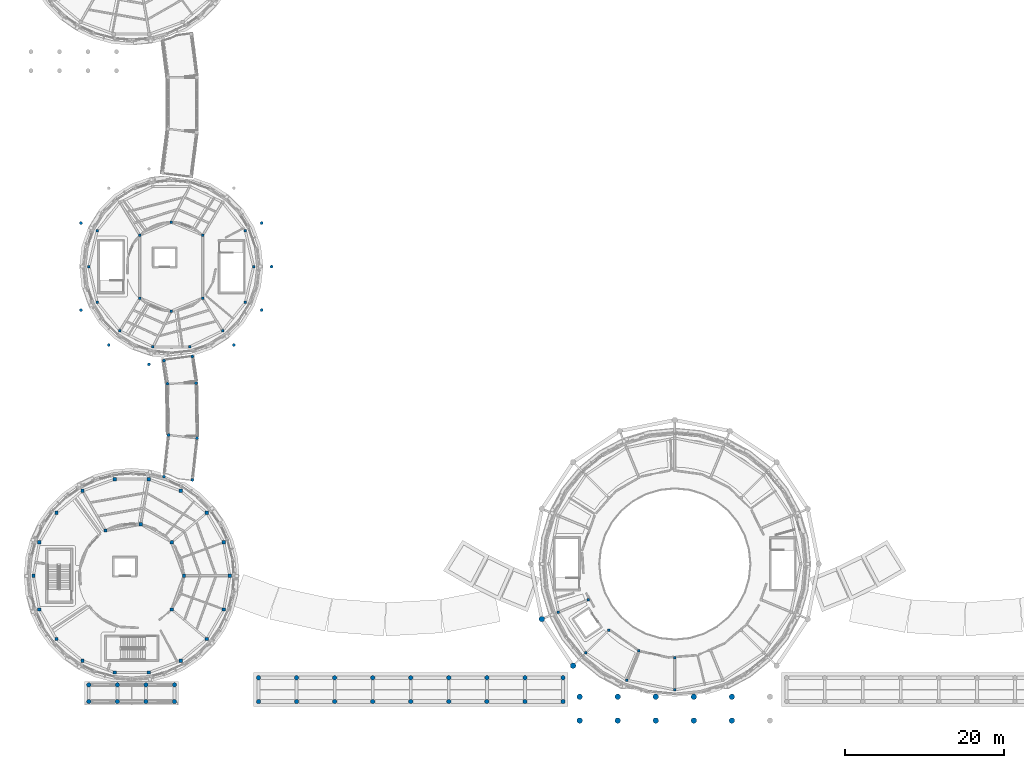
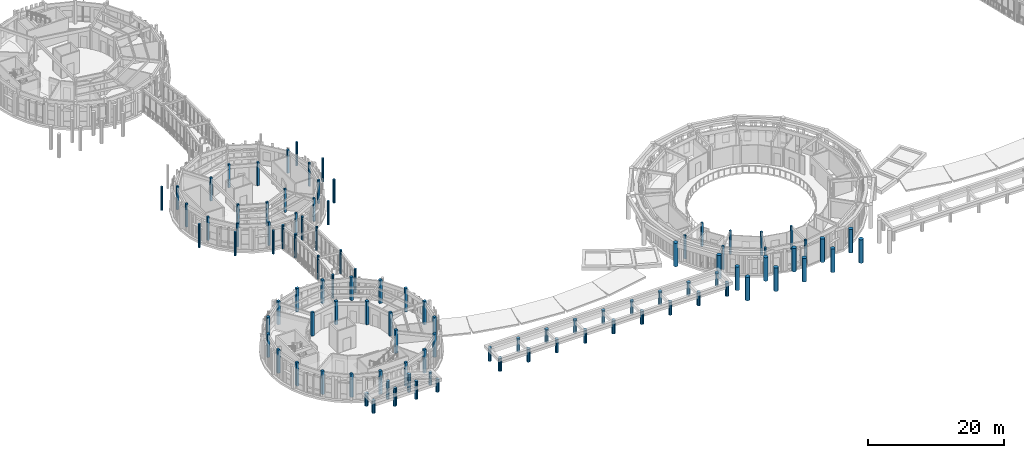
# One storey, part 1 of 80: 101 columns.
"""IFC4 building model written with IfcOpenShell, lengths in metres."""

from ifc_helpers import new_model, si_unit, direction, frame, origin, origin_2d, place, context, subcontext, project, spatial, rectangle, circle, extrude, material, material_profile, profile_set, type_object, element, save


model = new_model("IFC4")

# Units and contexts
model_context = context("Model", 3, precision=1e-05, world=origin(), true_north=direction((0.0, 1.0)))
body_context = subcontext(model_context, "Body", "Model", "MODEL_VIEW")
ifc_project = project(units=[si_unit("LENGTHUNIT", "METRE"), si_unit("AREAUNIT", "SQUARE_METRE"), si_unit("VOLUMEUNIT", "CUBIC_METRE"), si_unit("PLANEANGLEUNIT", "RADIAN"), si_unit("MASSUNIT", "GRAM", prefix="KILO")], contexts=[model_context])

# Site, building, storey
site_placement = place(None, origin())
site = spatial("IfcSite", under=ifc_project, at=site_placement, CompositionType="ELEMENT")
building_placement = place(site_placement, origin())
building = spatial("IfcBuilding", under=site, at=building_placement, Name="Aldenvaro Health Centre", CompositionType="ELEMENT")
storey_placement = place(building_placement, frame((0.0, 0.0, 4.550048828125)))
storey = spatial("IfcBuildingStorey", under=building, at=storey_placement, Name="L01", CompositionType="ELEMENT", Elevation=4.550048828125)

# Columns
ifc_material_1 = material(Name="Glulam GL28h", Category="wood")
ifc_material_profile_1 = material_profile(ifc_material_1, rectangle(XDim=0.31494140625, YDim=0.31494140625, at=origin_2d()), Name="GL 315x315", Category="wood")
ifc_profile_set_1 = profile_set([ifc_material_profile_1], Name="Glulam GL28h")
column_type_1 = type_object("IfcColumnType", Name="COL-GL-315", PredefinedType="COLUMN", material=ifc_profile_set_1)
for number, where, z_axis, x_axis, name in (
    (1, (76.080078125, 15.47705078125, 0.0), (0.0, 0.0, 1.0), (1.0, 0.0, 0.0), "D1 L01 column IN-08"),
    (2, (78.64208984375, 11.64208984375, 0.0), (0.0, 0.0, 1.0), (1.0, 0.0, 0.0), "D1 L01 column IN-09"),
    (3, (82.47705078125, 9.080078125, 0.0), (0.0, 0.0, 1.0), (1.0, 0.0, 0.0), "D1 L01 column IN-10"),
    (4, (87.0, 8.179931640625, 0.0), (0.0, 0.0, 1.0), (1.0, 0.0, 0.0), "D1 L01 column IN-11"),
    (5, (27.4599609375, 61.4599609375, 0.0), (0.0, 0.0, 1.0), (1.0, 0.0, 0.0), "D3 L01 column IN-01"),
    (6, (23.5, 63.10009765625, 0.0), (0.0, 0.0, 1.0), (1.0, 0.0, 0.0), "D3 L01 column IN-02"),
    (7, (19.5400390625, 61.4599609375, 0.0), (0.0, 0.0, 1.0), (1.0, 0.0, 0.0), "D3 L01 column IN-03"),
    (8, (19.5400390625, 53.5400390625, 0.0), (0.0, 0.0, 1.0), (1.0, 0.0, 0.0), "D3 L01 column IN-04"),
    (9, (23.5, 51.89990234375, 0.0), (0.0, 0.0, 1.0), (1.0, 0.0, 0.0), "D3 L01 column IN-05"),
    (10, (27.4599609375, 53.5400390625, 0.0), (0.0, 0.0, 1.0), (1.0, 0.0, 0.0), "D3 L01 column IN-06"),
):
    element("IfcColumn", number, at=place(storey_placement, frame(where, z_axis=z_axis, x_axis=x_axis)), inside=storey, type_object=column_type_1, Name=name, PredefinedType="COLUMN", context=body_context, shape_type="SweptSolid", body=[
        extrude(rectangle(XDim=0.31494140625, YDim=0.31494140625, at=origin_2d()), origin(), (0.0, 0.0, 1.0), 4.199951171875),
    ])
ifc_material_profile_2 = material_profile(ifc_material_1, rectangle(XDim=0.31494140625, YDim=0.31494140625, at=origin_2d()), Name="GL 315x315", Category="wood")
ifc_profile_set_2 = profile_set([ifc_material_profile_2], Name="Glulam GL28h")
column_type_2 = type_object("IfcColumnType", Name="COL-GL-315E", PredefinedType="COLUMN", material=ifc_profile_set_2)
for number, where, z_axis, x_axis, name in (
    (11, (72.3291015625, 13.923095703125, 0.0), (0.0, 0.0, 1.0), (1.0, 0.0, 0.0), "D1 L01 column OUT-10"),
    (12, (75.77099609375, 8.77099609375, 0.0), (0.0, 0.0, 1.0), (1.0, 0.0, 0.0), "D1 L01 column OUT-11"),
    (13, (80.923095703125, 5.3291015625, 0.0), (0.0, 0.0, 1.0), (1.0, 0.0, 0.0), "D1 L01 column OUT-12"),
    (14, (87.0, 4.1201171875, 0.0), (0.0, 0.0, 1.0), (1.0, 0.0, 0.0), "D1 L01 column OUT-13"),
    (15, (33.8798828125, 57.5, 0.0), (0.0, 0.0, 1.0), (1.0, 0.0, 0.0), "D3 L01 column OUT-01"),
    (16, (32.85205078125, 62.00390625, 0.0), (0.0, 0.0, 1.0), (1.0, 0.0, 0.0), "D3 L01 column OUT-02"),
    (17, (14.14794921875, 62.00390625, 0.0), (0.0, 0.0, 1.0), (1.0, 0.0, 0.0), "D3 L01 column OUT-07"),
    (18, (13.1201171875, 57.5, 0.0), (0.0, 0.0, 1.0), (1.0, 0.0, 0.0), "D3 L01 column OUT-08"),
    (19, (14.14794921875, 52.99609375, 0.0), (0.0, 0.0, 1.0), (1.0, 0.0, 0.0), "D3 L01 column OUT-09"),
    (20, (17.028076171875, 49.385009765625, 0.0), (0.0, 0.0, 1.0), (1.0, 0.0, 0.0), "D3 L01 column OUT-10"),
    (21, (21.18994140625, 47.3798828125, 0.0), (0.0, 0.0, 1.0), (1.0, 0.0, 0.0), "D3 L01 column OUT-11"),
    (22, (25.81005859375, 47.3798828125, 0.0), (0.0, 0.0, 1.0), (1.0, 0.0, 0.0), "D3 L01 column OUT-12"),
    (23, (29.971923828125, 49.385009765625, 0.0), (0.0, 0.0, 1.0), (1.0, 0.0, 0.0), "D3 L01 column OUT-13"),
    (24, (32.85205078125, 52.99609375, 0.0), (0.0, 0.0, 1.0), (1.0, 0.0, 0.0), "D3 L01 column OUT-14"),
):
    element("IfcColumn", number, at=place(storey_placement, frame(where, z_axis=z_axis, x_axis=x_axis)), inside=storey, type_object=column_type_2, Name=name, PredefinedType="COLUMN", context=body_context, shape_type="SweptSolid", body=[
        extrude(rectangle(XDim=0.31494140625, YDim=0.31494140625, at=origin_2d()), origin(), (0.0, 0.0, 1.0), 4.199951171875),
    ])
ifc_material_profile_3 = material_profile(ifc_material_1, rectangle(XDim=0.419921875, YDim=0.419921875, at=origin_2d()), Name="GL 420x420", Category="wood")
ifc_profile_set_3 = profile_set([ifc_material_profile_3], Name="Glulam GL28h")
column_type_3 = type_object("IfcColumnType", Name="COL-GL-420", PredefinedType="COLUMN", material=ifc_profile_set_3)
for number, where, z_axis, x_axis, name in (
    (25, (25.10009765625, 18.5, 0.0), (0.0, 0.0, 1.0), (1.0, 0.0, 0.0), "D5 L01 column IN-01"),
    (26, (23.555908203125, 22.741943359375, 0.0), (0.0, 0.0, 1.0), (1.0, 0.0, 0.0), "D5 L01 column IN-02"),
    (27, (19.64599609375, 25.0, 0.0), (0.0, 0.0, 1.0), (1.0, 0.0, 0.0), "D5 L01 column IN-03"),
    (28, (15.199951171875, 24.216064453125, 0.0), (0.0, 0.0, 1.0), (1.0, 0.0, 0.0), "D5 L01 column IN-04"),
    (29, (23.555908203125, 14.258056640625, 0.0), (0.0, 0.0, 1.0), (1.0, 0.0, 0.0), "D5 L01 column IN-05"),
):
    element("IfcColumn", number, at=place(storey_placement, frame(where, z_axis=z_axis, x_axis=x_axis)), inside=storey, type_object=column_type_3, Name=name, PredefinedType="COLUMN", context=body_context, shape_type="SweptSolid", body=[
        extrude(rectangle(XDim=0.419921875, YDim=0.419921875, at=origin_2d()), origin(), (0.0, 0.0, 1.0), 4.199951171875),
    ])
ifc_material_profile_4 = material_profile(ifc_material_1, rectangle(XDim=0.419921875, YDim=0.419921875, at=origin_2d()), Name="GL 420x420", Category="wood")
ifc_profile_set_4 = profile_set([ifc_material_profile_4], Name="Glulam GL28h")
column_type_4 = type_object("IfcColumnType", Name="COL-GL-420E", PredefinedType="COLUMN", material=ifc_profile_set_4)
for number, where, z_axis, x_axis, name in (
    (30, (30.8798828125, 18.5, 0.0), (0.0, 0.0, 1.0), (1.0, 0.0, 0.0), "D5 L01 column OUT-01"),
    (31, (30.133056640625, 22.73388671875, 0.0), (0.0, 0.0, 1.0), (1.0, 0.0, 0.0), "D5 L01 column OUT-02"),
    (32, (27.98388671875, 26.4580078125, 0.0), (0.0, 0.0, 1.0), (1.0, 0.0, 0.0), "D5 L01 column OUT-03"),
    (33, (24.68994140625, 29.220947265625, 0.0), (0.0, 0.0, 1.0), (1.0, 0.0, 0.0), "D5 L01 column OUT-04"),
    (34, (20.64990234375, 30.69189453125, 0.0), (0.0, 0.0, 1.0), (1.0, 0.0, 0.0), "D5 L01 column OUT-05"),
    (35, (16.35009765625, 30.69189453125, 0.0), (0.0, 0.0, 1.0), (1.0, 0.0, 0.0), "D5 L01 column OUT-06"),
    (36, (12.31005859375, 29.220947265625, 0.0), (0.0, 0.0, 1.0), (1.0, 0.0, 0.0), "D5 L01 column OUT-07"),
    (37, (9.01611328125, 26.4580078125, 0.0), (0.0, 0.0, 1.0), (1.0, 0.0, 0.0), "D5 L01 column OUT-08"),
    (38, (6.866943359375, 22.73388671875, 0.0), (0.0, 0.0, 1.0), (1.0, 0.0, 0.0), "D5 L01 column OUT-09"),
    (39, (6.1201171875, 18.5, 0.0), (0.0, 0.0, 1.0), (1.0, 0.0, 0.0), "D5 L01 column OUT-10"),
    (40, (6.866943359375, 14.26611328125, 0.0), (0.0, 0.0, 1.0), (1.0, 0.0, 0.0), "D5 L01 column OUT-11"),
    (41, (9.01611328125, 10.5419921875, 0.0), (0.0, 0.0, 1.0), (1.0, 0.0, 0.0), "D5 L01 column OUT-12"),
    (42, (12.31005859375, 7.779052734375, 0.0), (0.0, 0.0, 1.0), (1.0, 0.0, 0.0), "D5 L01 column OUT-13"),
    (43, (16.35009765625, 6.30810546875, 0.0), (0.0, 0.0, 1.0), (1.0, 0.0, 0.0), "D5 L01 column OUT-14"),
    (44, (20.64990234375, 6.30810546875, 0.0), (0.0, 0.0, 1.0), (1.0, 0.0, 0.0), "D5 L01 column OUT-15"),
    (45, (24.68994140625, 7.779052734375, 0.0), (0.0, 0.0, 1.0), (1.0, 0.0, 0.0), "D5 L01 column OUT-16"),
    (46, (27.98388671875, 10.5419921875, 0.0), (0.0, 0.0, 1.0), (1.0, 0.0, 0.0), "D5 L01 column OUT-17"),
    (47, (30.133056640625, 14.26611328125, 0.0), (0.0, 0.0, 1.0), (1.0, 0.0, 0.0), "D5 L01 column OUT-18"),
):
    element("IfcColumn", number, at=place(storey_placement, frame(where, z_axis=z_axis, x_axis=x_axis)), inside=storey, type_object=column_type_4, Name=name, PredefinedType="COLUMN", context=body_context, shape_type="SweptSolid", body=[
        extrude(rectangle(XDim=0.419921875, YDim=0.419921875, at=origin_2d()), origin(), (0.0, 0.0, 1.0), 4.199951171875),
    ])
ifc_material_profile_5 = material_profile(ifc_material_1, circle(Radius=0.18994140625, at=origin_2d()), Name="GL D380", Category="wood")
ifc_profile_set_5 = profile_set([ifc_material_profile_5], Name="Glulam GL28h")
column_type_5 = type_object("IfcColumnType", Name="COL-GL-D380", PredefinedType="PILASTER", material=ifc_profile_set_5)
for number, where, z_axis, x_axis, name in (
    (48, (22.571044921875, 31.008056640625, 0.0), (0.0, 0.0, 1.0), (1.0, 0.0, 0.0), "West South Curved Garden Walkway Arc 1 L01 column 1.1"),
    (49, (26.14892578125, 30.611083984375, 0.0), (0.0, 0.0, 1.0), (1.0, 0.0, 0.0), "West South Curved Garden Walkway Arc 1 L01 column 1.2"),
    (50, (23.154052734375, 36.256103515625, 0.0), (0.0, 0.0, 1.0), (1.0, 0.0, 0.0), "West South Curved Garden Walkway Arc 1 L01 column 2.1"),
    (51, (26.73193359375, 35.85791015625, 0.0), (0.0, 0.0, 1.0), (1.0, 0.0, 0.0), "West South Curved Garden Walkway Arc 1 L01 column 2.2"),
    (52, (23.02587890625, 42.739990234375, 0.0), (0.0, 0.0, 1.0), (1.0, 0.0, 0.0), "West South Curved Garden Walkway Arc 2 L01 column 2.1"),
    (53, (26.6259765625, 42.802001953125, 0.0), (0.0, 0.0, 1.0), (1.0, 0.0, 0.0), "West South Curved Garden Walkway Arc 2 L01 column 2.2"),
    (54, (22.587890625, 45.632080078125, 0.0), (0.0, 0.0, 1.0), (1.0, 0.0, 0.0), "West South Curved Garden Walkway Arc 3 L01 column 2.1"),
    (55, (26.14990234375, 46.154052734375, 0.0), (0.0, 0.0, 1.0), (1.0, 0.0, 0.0), "West South Curved Garden Walkway Arc 3 L01 column 2.2"),
    (56, (36.14990234375, 57.5, 0.0), (0.0, 0.0, 1.0), (1.0, 0.0, 0.0), "Garden Pavilion Peristyle Upper Column 01"),
    (57, (34.89697265625, 62.989013671875, 0.0), (0.0, 0.0, 1.0), (1.0, 0.0, 0.0), "Garden Pavilion Peristyle Upper Column 02"),
    (58, (12.10302734375, 62.989013671875, 0.0), (0.0, 0.0, 1.0), (1.0, 0.0, 0.0), "Garden Pavilion Peristyle Upper Column 07"),
    (59, (12.10302734375, 52.010986328125, 0.0), (0.0, 0.0, 1.0), (1.0, 0.0, 0.0), "Garden Pavilion Peristyle Upper Column 09"),
    (60, (15.613037109375, 47.610107421875, 0.0), (0.0, 0.0, 1.0), (1.0, 0.0, 0.0), "Garden Pavilion Peristyle Upper Column 10"),
    (61, (20.68505859375, 45.1669921875, 0.0), (0.0, 0.0, 1.0), (1.0, 0.0, 0.0), "Garden Pavilion Peristyle Upper Column 11"),
    (62, (31.386962890625, 47.610107421875, 0.0), (0.0, 0.0, 1.0), (1.0, 0.0, 0.0), "Garden Pavilion Peristyle Upper Column 13"),
    (63, (34.89697265625, 52.010986328125, 0.0), (0.0, 0.0, 1.0), (1.0, 0.0, 0.0), "Garden Pavilion Peristyle Upper Column 14"),
):
    element("IfcColumn", number, at=place(storey_placement, frame(where, z_axis=z_axis, x_axis=x_axis)), inside=storey, type_object=column_type_5, Name=name, PredefinedType="PILASTER", context=body_context, shape_type="SweptSolid", body=[
        extrude(circle(Radius=0.18994140625, at=origin_2d()), origin(), (0.0, 0.0, 1.0), 4.199951171875),
    ])
ifc_material_2 = material(Name="Concrete f'c 40 MPa", Category="concrete")
ifc_material_profile_6 = material_profile(ifc_material_2, circle(Radius=0.27490234375, at=origin_2d()), Name="RC D550", Category="concrete")
ifc_profile_set_6 = profile_set([ifc_material_profile_6], Name="Concrete f'c 40 MPa")
column_type_6 = type_object("IfcColumnType", Name="COL-RC-D550", PredefinedType="PILASTER", material=ifc_profile_set_6)
for number, where, z_axis, x_axis, name in (
    (64, (34.5, 2.64990234375, 0.0), (0.0, 0.0, 1.0), (1.0, 0.0, 0.0), "South Neoclassical Stoa W Upper Column 1.1"),
    (65, (34.5, 5.64990234375, 0.0), (0.0, 0.0, 1.0), (1.0, 0.0, 0.0), "South Neoclassical Stoa W Upper Column 1.2"),
    (66, (39.300048828125, 2.64990234375, 0.0), (0.0, 0.0, 1.0), (1.0, 0.0, 0.0), "South Neoclassical Stoa W Upper Column 2.1"),
    (67, (39.300048828125, 5.64990234375, 0.0), (0.0, 0.0, 1.0), (1.0, 0.0, 0.0), "South Neoclassical Stoa W Upper Column 2.2"),
    (68, (44.10009765625, 2.64990234375, 0.0), (0.0, 0.0, 1.0), (1.0, 0.0, 0.0), "South Neoclassical Stoa W Upper Column 3.1"),
    (69, (44.10009765625, 5.64990234375, 0.0), (0.0, 0.0, 1.0), (1.0, 0.0, 0.0), "South Neoclassical Stoa W Upper Column 3.2"),
    (70, (48.89990234375, 2.64990234375, 0.0), (0.0, 0.0, 1.0), (1.0, 0.0, 0.0), "South Neoclassical Stoa W Upper Column 4.1"),
    (71, (48.89990234375, 5.64990234375, 0.0), (0.0, 0.0, 1.0), (1.0, 0.0, 0.0), "South Neoclassical Stoa W Upper Column 4.2"),
    (72, (53.699951171875, 2.64990234375, 0.0), (0.0, 0.0, 1.0), (1.0, 0.0, 0.0), "South Neoclassical Stoa W Upper Column 5.1"),
    (73, (53.699951171875, 5.64990234375, 0.0), (0.0, 0.0, 1.0), (1.0, 0.0, 0.0), "South Neoclassical Stoa W Upper Column 5.2"),
    (74, (58.5, 2.64990234375, 0.0), (0.0, 0.0, 1.0), (1.0, 0.0, 0.0), "South Neoclassical Stoa W Upper Column 6.1"),
    (75, (58.5, 5.64990234375, 0.0), (0.0, 0.0, 1.0), (1.0, 0.0, 0.0), "South Neoclassical Stoa W Upper Column 6.2"),
    (76, (63.300048828125, 2.64990234375, 0.0), (0.0, 0.0, 1.0), (1.0, 0.0, 0.0), "South Neoclassical Stoa W Upper Column 7.1"),
    (77, (63.300048828125, 5.64990234375, 0.0), (0.0, 0.0, 1.0), (1.0, 0.0, 0.0), "South Neoclassical Stoa W Upper Column 7.2"),
    (78, (68.10009765625, 2.64990234375, 0.0), (0.0, 0.0, 1.0), (1.0, 0.0, 0.0), "South Neoclassical Stoa W Upper Column 8.1"),
    (79, (68.10009765625, 5.64990234375, 0.0), (0.0, 0.0, 1.0), (1.0, 0.0, 0.0), "South Neoclassical Stoa W Upper Column 8.2"),
    (80, (72.89990234375, 2.64990234375, 0.0), (0.0, 0.0, 1.0), (1.0, 0.0, 0.0), "South Neoclassical Stoa W Upper Column 9.1"),
    (81, (72.89990234375, 5.64990234375, 0.0), (0.0, 0.0, 1.0), (1.0, 0.0, 0.0), "South Neoclassical Stoa W Upper Column 9.2"),
):
    element("IfcColumn", number, at=place(storey_placement, frame(where, z_axis=z_axis, x_axis=x_axis)), inside=storey, type_object=column_type_6, Name=name, PredefinedType="PILASTER", context=body_context, shape_type="SweptSolid", body=[
        extrude(circle(Radius=0.27490234375, at=origin_2d()), origin(), (0.0, 0.0, 1.0), 2.39990234375),
    ])
for number, where, z_axis, x_axis, name in (
    (82, (13.10009765625, 2.64990234375, 0.0), (0.0, 0.0, 1.0), (1.0, 0.0, 0.0), "Pavilion Tetrastyle Portico W5 Upper Column 1.1"),
    (83, (13.10009765625, 4.75, 0.0), (0.0, 0.0, 1.0), (1.0, 0.0, 0.0), "Pavilion Tetrastyle Portico W5 Upper Column 1.2"),
):
    element("IfcColumn", number, at=place(storey_placement, frame(where, z_axis=z_axis, x_axis=x_axis)), inside=storey, type_object=column_type_6, Name=name, PredefinedType="PILASTER", context=body_context, shape_type="SweptSolid", body=[
        extrude(circle(Radius=0.27490234375, at=origin_2d()), origin(), (0.0, 0.0, 1.0), 2.2900390625),
    ])
for number, where, z_axis, x_axis, name in (
    (84, (16.699951171875, 2.64990234375, 0.0), (0.0, 0.0, 1.0), (1.0, 0.0, 0.0), "Pavilion Tetrastyle Portico W5 Upper Column 2.1"),
    (85, (16.699951171875, 4.75, 0.0), (0.0, 0.0, 1.0), (1.0, 0.0, 0.0), "Pavilion Tetrastyle Portico W5 Upper Column 2.2"),
    (86, (20.300048828125, 2.64990234375, 0.0), (0.0, 0.0, 1.0), (1.0, 0.0, 0.0), "Pavilion Tetrastyle Portico W5 Upper Column 3.1"),
    (87, (20.300048828125, 4.75, 0.0), (0.0, 0.0, 1.0), (1.0, 0.0, 0.0), "Pavilion Tetrastyle Portico W5 Upper Column 3.2"),
):
    element("IfcColumn", number, at=place(storey_placement, frame(where, z_axis=z_axis, x_axis=x_axis)), inside=storey, type_object=column_type_6, Name=name, PredefinedType="PILASTER", context=body_context, shape_type="SweptSolid", body=[
        extrude(circle(Radius=0.27490234375, at=origin_2d()), origin(), (0.0, 0.0, 1.0), 3.2099609375),
    ])
for number, where, z_axis, x_axis, name in (
    (88, (23.89990234375, 2.64990234375, 0.0), (0.0, 0.0, 1.0), (1.0, 0.0, 0.0), "Pavilion Tetrastyle Portico W5 Upper Column 4.1"),
    (89, (23.89990234375, 4.75, 0.0), (0.0, 0.0, 1.0), (1.0, 0.0, 0.0), "Pavilion Tetrastyle Portico W5 Upper Column 4.2"),
):
    element("IfcColumn", number, at=place(storey_placement, frame(where, z_axis=z_axis, x_axis=x_axis)), inside=storey, type_object=column_type_6, Name=name, PredefinedType="PILASTER", context=body_context, shape_type="SweptSolid", body=[
        extrude(circle(Radius=0.27490234375, at=origin_2d()), origin(), (0.0, 0.0, 1.0), 2.2900390625),
    ])
ifc_material_profile_7 = material_profile(ifc_material_2, circle(Radius=0.35009765625, at=origin_2d()), Name="RC D700", Category="concrete")
ifc_profile_set_7 = profile_set([ifc_material_profile_7], Name="Concrete f'c 40 MPa")
column_type_7 = type_object("IfcColumnType", Name="COL-RC-D700", PredefinedType="COLUMN", material=ifc_profile_set_7)
for number, where, z_axis, x_axis, name in (
    (90, (75.0, 0.25, 0.0), (0.0, 0.0, 1.0), (1.0, 0.0, 0.0), "Neoclassical Portico Giant Column Upper 1.1"),
    (91, (75.0, 3.25, 0.0), (0.0, 0.0, 1.0), (1.0, 0.0, 0.0), "Neoclassical Portico Giant Column Upper 1.2"),
    (92, (79.800048828125, 0.25, 0.0), (0.0, 0.0, 1.0), (1.0, 0.0, 0.0), "Neoclassical Portico Giant Column Upper 2.1"),
    (93, (79.800048828125, 3.25, 0.0), (0.0, 0.0, 1.0), (1.0, 0.0, 0.0), "Neoclassical Portico Giant Column Upper 2.2"),
    (94, (84.60009765625, 0.25, 0.0), (0.0, 0.0, 1.0), (1.0, 0.0, 0.0), "Neoclassical Portico Giant Column Upper 3.1"),
    (95, (84.60009765625, 3.25, 0.0), (0.0, 0.0, 1.0), (1.0, 0.0, 0.0), "Neoclassical Portico Giant Column Upper 3.2"),
    (96, (89.39990234375, 0.25, 0.0), (0.0, 0.0, 1.0), (1.0, 0.0, 0.0), "Neoclassical Portico Giant Column Upper 4.1"),
    (97, (89.39990234375, 3.25, 0.0), (0.0, 0.0, 1.0), (1.0, 0.0, 0.0), "Neoclassical Portico Giant Column Upper 4.2"),
    (98, (94.199951171875, 0.25, 0.0), (0.0, 0.0, 1.0), (1.0, 0.0, 0.0), "Neoclassical Portico Giant Column Upper 5.1"),
    (99, (94.199951171875, 3.25, 0.0), (0.0, 0.0, 1.0), (1.0, 0.0, 0.0), "Neoclassical Portico Giant Column Upper 5.2"),
    (100, (70.23193359375, 13.053955078125, 0.0), (0.0, 0.0, 1.0), (1.0, 0.0, 0.0), "Waiting Rotunda Peristyle Upper Column 10"),
    (101, (74.166015625, 7.166015625, 0.0), (0.0, 0.0, 1.0), (1.0, 0.0, 0.0), "Waiting Rotunda Peristyle Upper Column 11"),
):
    element("IfcColumn", number, at=place(storey_placement, frame(where, z_axis=z_axis, x_axis=x_axis)), inside=storey, type_object=column_type_7, Name=name, PredefinedType="COLUMN", context=body_context, shape_type="SweptSolid", body=[
        extrude(circle(Radius=0.35009765625, at=origin_2d()), origin(), (0.0, 0.0, 1.0), 4.199951171875),
    ])

save(model, "model.ifc")
